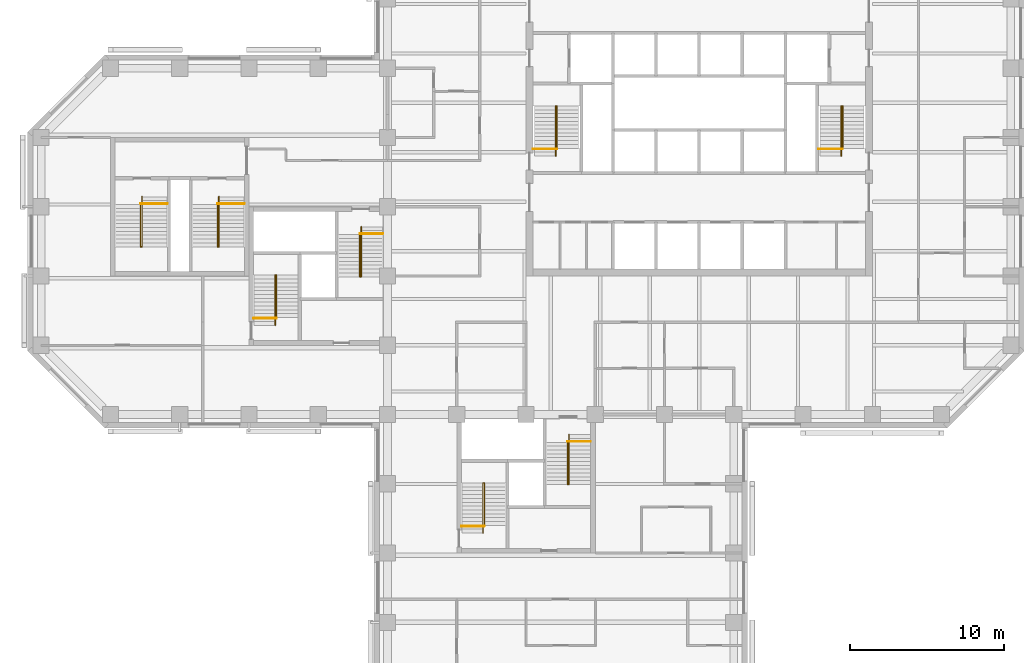
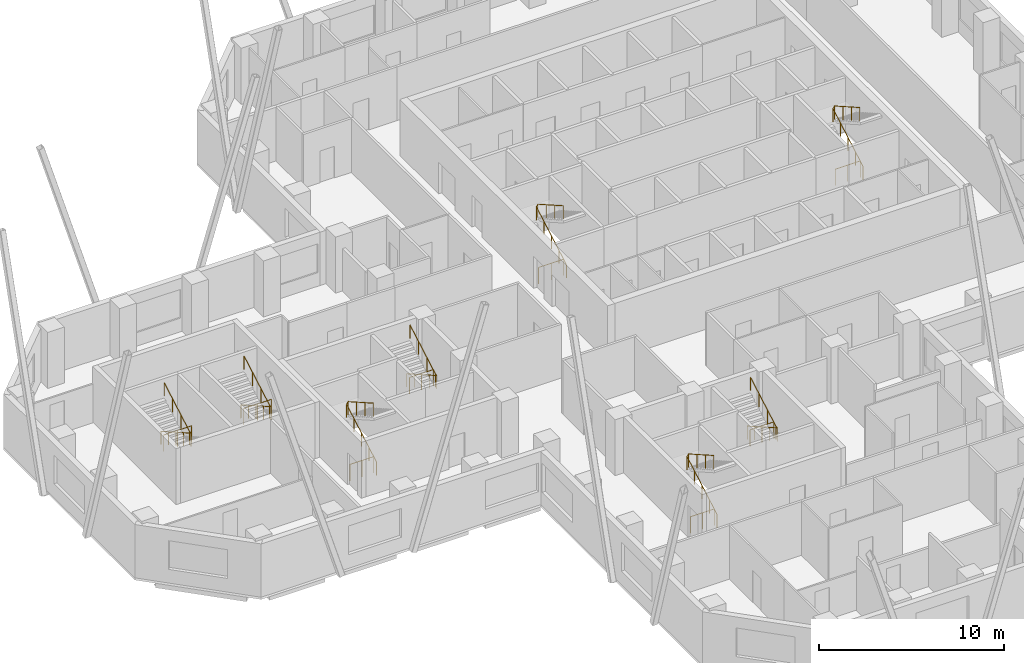
# One storey, part 11 of 11: 16 railings.
"""IFC4 building model written with IfcOpenShell, lengths in metres."""

from ifc_helpers import new_model, si_unit, direction, frame, origin, origin_2d, place, context, subcontext, project, spatial, circle, extrude, material, type_object, element, save


model = new_model("IFC4")

# Units and contexts
model_context = context("Model", 3, precision=1e-05, world=origin(), true_north=direction((0.0, 1.0)))
body_context = subcontext(model_context, "Body", "Model", "MODEL_VIEW")
ifc_project = project(units=[si_unit("LENGTHUNIT", "METRE"), si_unit("AREAUNIT", "SQUARE_METRE"), si_unit("VOLUMEUNIT", "CUBIC_METRE"), si_unit("PLANEANGLEUNIT", "RADIAN"), si_unit("MASSUNIT", "GRAM", prefix="KILO")], contexts=[model_context])

# Site, building, storey
site_placement = place(None, origin())
site = spatial("IfcSite", under=ifc_project, at=site_placement, CompositionType="ELEMENT")
building_placement = place(site_placement, origin())
building = spatial("IfcBuilding", under=site, at=building_placement, Name="Quoin Convention Tower", CompositionType="ELEMENT")
storey_placement = place(building_placement, frame((0.0, 0.0, 82.60009765625)))
storey = spatial("IfcBuildingStorey", under=building, at=storey_placement, Name="L21", CompositionType="ELEMENT", Elevation=82.60009765625)

# Railings
ifc_material = material(Name="Stainless steel", Category="steel")
railing_type_1 = type_object("IfcRailingType", Name="Stair handrail 900", PredefinedType="HANDRAIL", material=ifc_material)
railing_1_placement = place(storey_placement, frame((46.929931640625, 57.300048828125, 0.14208984375)))
element("IfcRailing", 1, at=railing_1_placement, inside=storey, type_object=railing_type_1, Name="SD1 handrail 1", PredefinedType="HANDRAIL", context=body_context, shape_type="SweptSolid", body=[
    extrude(circle(Radius=0.02392578125, at=origin_2d()), frame((0.0, 0.0, 0.8759765625), z_axis=(0.0, 0.869053504361, 0.494718108177), x_axis=(-1.0, 0.0, 0.0)), (0.0, 0.0, 1.0), 3.73974609375),
    extrude(circle(Radius=0.02392578125, at=origin_2d()), frame((0.0, 3.25, 2.72607421875), z_axis=(0.53481069233, 0.0, 0.844971906852), x_axis=(0.0, 1.0, 0.0)), (0.0, 0.0, 1.0), 0.16845703125),
    extrude(circle(Radius=0.02392578125, at=origin_2d()), frame((0.090087890625, 3.25, 2.8681640625), z_axis=(0.0, -0.869058607571, 0.494709143443), x_axis=(1.0, 0.0, 0.0)), (0.0, 0.0, 1.0), 3.164306640625),
    extrude(circle(Radius=0.02099609375, at=origin_2d()), origin(), (0.0, 0.0, 1.0), 0.851806640625),
    extrude(circle(Radius=0.02099609375, at=origin_2d()), frame((0.0, 0.8125, 0.46240234375)), (0.0, 0.0, 1.0), 0.851806640625),
    extrude(circle(Radius=0.02099609375, at=origin_2d()), frame((0.0, 1.625, 0.925048828125)), (0.0, 0.0, 1.0), 0.851806640625),
    extrude(circle(Radius=0.02099609375, at=origin_2d()), frame((0.0, 2.4375, 1.3876953125)), (0.0, 0.0, 1.0), 0.851806640625),
    extrude(circle(Radius=0.02099609375, at=origin_2d()), frame((0.0, 3.25, 1.85009765625)), (0.0, 0.0, 1.0), 0.851806640625),
    extrude(circle(Radius=0.02099609375, at=origin_2d()), frame((0.090087890625, 3.25, 1.992431640625)), (0.0, 0.0, 1.0), 0.851806640625),
    extrude(circle(Radius=0.02099609375, at=origin_2d()), frame((0.090087890625, 2.333251953125, 2.51416015625)), (0.0, 0.0, 1.0), 0.851806640625),
    extrude(circle(Radius=0.02099609375, at=origin_2d()), frame((0.090087890625, 1.416748046875, 3.0361328125)), (0.0, 0.0, 1.0), 0.851806640625),
    extrude(circle(Radius=0.02099609375, at=origin_2d()), frame((0.090087890625, 0.5, 3.557861328125)), (0.0, 0.0, 1.0), 0.851806640625),
])
railing_2_placement = place(storey_placement, frame((65.47998046875, 57.300048828125, 0.14208984375)))
element("IfcRailing", 2, at=railing_2_placement, inside=storey, type_object=railing_type_1, Name="SD2 handrail 1", PredefinedType="HANDRAIL", context=body_context, shape_type="SweptSolid", body=[
    extrude(circle(Radius=0.02392578125, at=origin_2d()), frame((0.0, 0.0, 0.8759765625), z_axis=(0.0, 0.869053504361, 0.494718108177), x_axis=(-1.0, 0.0, 0.0)), (0.0, 0.0, 1.0), 3.73974609375),
    extrude(circle(Radius=0.02392578125, at=origin_2d()), frame((0.0, 3.25, 2.72607421875), z_axis=(0.53481069233, 0.0, 0.844971906852), x_axis=(0.0, 1.0, 0.0)), (0.0, 0.0, 1.0), 0.16845703125),
    extrude(circle(Radius=0.02392578125, at=origin_2d()), frame((0.090087890625, 3.25, 2.8681640625), z_axis=(0.0, -0.869058607571, 0.494709143443), x_axis=(1.0, 0.0, 0.0)), (0.0, 0.0, 1.0), 3.164306640625),
    extrude(circle(Radius=0.02099609375, at=origin_2d()), origin(), (0.0, 0.0, 1.0), 0.851806640625),
    extrude(circle(Radius=0.02099609375, at=origin_2d()), frame((0.0, 0.8125, 0.46240234375)), (0.0, 0.0, 1.0), 0.851806640625),
    extrude(circle(Radius=0.02099609375, at=origin_2d()), frame((0.0, 1.625, 0.925048828125)), (0.0, 0.0, 1.0), 0.851806640625),
    extrude(circle(Radius=0.02099609375, at=origin_2d()), frame((0.0, 2.4375, 1.3876953125)), (0.0, 0.0, 1.0), 0.851806640625),
    extrude(circle(Radius=0.02099609375, at=origin_2d()), frame((0.0, 3.25, 1.85009765625)), (0.0, 0.0, 1.0), 0.851806640625),
    extrude(circle(Radius=0.02099609375, at=origin_2d()), frame((0.090087890625, 3.25, 1.992431640625)), (0.0, 0.0, 1.0), 0.851806640625),
    extrude(circle(Radius=0.02099609375, at=origin_2d()), frame((0.090087890625, 2.333251953125, 2.51416015625)), (0.0, 0.0, 1.0), 0.851806640625),
    extrude(circle(Radius=0.02099609375, at=origin_2d()), frame((0.090087890625, 1.416748046875, 3.0361328125)), (0.0, 0.0, 1.0), 0.851806640625),
    extrude(circle(Radius=0.02099609375, at=origin_2d()), frame((0.090087890625, 0.5, 3.557861328125)), (0.0, 0.0, 1.0), 0.851806640625),
])
railing_3_placement = place(storey_placement, frame((28.705078125, 46.300048828125, 0.14208984375)))
element("IfcRailing", 3, at=railing_3_placement, inside=storey, type_object=railing_type_1, Name="SD3 handrail 1", PredefinedType="HANDRAIL", context=body_context, shape_type="SweptSolid", body=[
    extrude(circle(Radius=0.02392578125, at=origin_2d()), frame((0.0, 0.0, 0.8759765625), z_axis=(0.0, 0.869053504361, 0.494718108177), x_axis=(-1.0, 0.0, 0.0)), (0.0, 0.0, 1.0), 3.73974609375),
    extrude(circle(Radius=0.02392578125, at=origin_2d()), frame((0.0, 3.25, 2.72607421875), z_axis=(0.533774684331, 0.0, 0.845626741753), x_axis=(0.0, 1.0, 0.0)), (0.0, 0.0, 1.0), 0.168212890625),
    extrude(circle(Radius=0.02392578125, at=origin_2d()), frame((0.08984375, 3.25, 2.8681640625), z_axis=(0.0, -0.869058607571, 0.494709143443), x_axis=(1.0, 0.0, 0.0)), (0.0, 0.0, 1.0), 3.164306640625),
    extrude(circle(Radius=0.02099609375, at=origin_2d()), origin(), (0.0, 0.0, 1.0), 0.851806640625),
    extrude(circle(Radius=0.02099609375, at=origin_2d()), frame((0.0, 0.8125, 0.46240234375)), (0.0, 0.0, 1.0), 0.851806640625),
    extrude(circle(Radius=0.02099609375, at=origin_2d()), frame((0.0, 1.625, 0.925048828125)), (0.0, 0.0, 1.0), 0.851806640625),
    extrude(circle(Radius=0.02099609375, at=origin_2d()), frame((0.0, 2.4375, 1.3876953125)), (0.0, 0.0, 1.0), 0.851806640625),
    extrude(circle(Radius=0.02099609375, at=origin_2d()), frame((0.0, 3.25, 1.85009765625)), (0.0, 0.0, 1.0), 0.851806640625),
    extrude(circle(Radius=0.02099609375, at=origin_2d()), frame((0.08984375, 3.25, 1.992431640625)), (0.0, 0.0, 1.0), 0.851806640625),
    extrude(circle(Radius=0.02099609375, at=origin_2d()), frame((0.08984375, 2.333251953125, 2.51416015625)), (0.0, 0.0, 1.0), 0.851806640625),
    extrude(circle(Radius=0.02099609375, at=origin_2d()), frame((0.08984375, 1.416748046875, 3.0361328125)), (0.0, 0.0, 1.0), 0.851806640625),
    extrude(circle(Radius=0.02099609375, at=origin_2d()), frame((0.08984375, 0.5, 3.557861328125)), (0.0, 0.0, 1.0), 0.851806640625),
])
railing_4_placement = place(storey_placement, frame((34.294921875, 52.699951171875, 0.14208984375)))
element("IfcRailing", 4, at=railing_4_placement, inside=storey, type_object=railing_type_1, Name="SD4 handrail 1", PredefinedType="HANDRAIL", context=body_context, shape_type="SweptSolid", body=[
    extrude(circle(Radius=0.02392578125, at=origin_2d()), frame((0.0, 0.0, 0.8759765625), z_axis=(0.0, -0.869053504361, 0.494718108177), x_axis=(1.0, 0.0, 0.0)), (0.0, 0.0, 1.0), 3.73974609375),
    extrude(circle(Radius=0.02392578125, at=origin_2d()), frame((0.0, -3.25, 2.72607421875), z_axis=(-0.533774684331, 0.0, 0.845626741753), x_axis=(0.0, -1.0, 0.0)), (0.0, 0.0, 1.0), 0.168212890625),
    extrude(circle(Radius=0.02392578125, at=origin_2d()), frame((-0.08984375, -3.25, 2.8681640625), z_axis=(0.0, 0.869058607571, 0.494709143443), x_axis=(-1.0, 0.0, 0.0)), (0.0, 0.0, 1.0), 3.164306640625),
    extrude(circle(Radius=0.02099609375, at=origin_2d()), origin(), (0.0, 0.0, 1.0), 0.851806640625),
    extrude(circle(Radius=0.02099609375, at=origin_2d()), frame((0.0, -0.8125, 0.46240234375)), (0.0, 0.0, 1.0), 0.851806640625),
    extrude(circle(Radius=0.02099609375, at=origin_2d()), frame((0.0, -1.625, 0.925048828125)), (0.0, 0.0, 1.0), 0.851806640625),
    extrude(circle(Radius=0.02099609375, at=origin_2d()), frame((0.0, -2.4375, 1.3876953125)), (0.0, 0.0, 1.0), 0.851806640625),
    extrude(circle(Radius=0.02099609375, at=origin_2d()), frame((0.0, -3.25, 1.85009765625)), (0.0, 0.0, 1.0), 0.851806640625),
    extrude(circle(Radius=0.02099609375, at=origin_2d()), frame((-0.08984375, -3.25, 1.992431640625)), (0.0, 0.0, 1.0), 0.851806640625),
    extrude(circle(Radius=0.02099609375, at=origin_2d()), frame((-0.08984375, -2.333251953125, 2.51416015625)), (0.0, 0.0, 1.0), 0.851806640625),
    extrude(circle(Radius=0.02099609375, at=origin_2d()), frame((-0.08984375, -1.416748046875, 3.0361328125)), (0.0, 0.0, 1.0), 0.851806640625),
    extrude(circle(Radius=0.02099609375, at=origin_2d()), frame((-0.08984375, -0.5, 3.557861328125)), (0.0, 0.0, 1.0), 0.851806640625),
])
railing_5_placement = place(storey_placement, frame((42.205078125, 32.800048828125, 0.14208984375)))
element("IfcRailing", 5, at=railing_5_placement, inside=storey, type_object=railing_type_1, Name="SD5 handrail 1", PredefinedType="HANDRAIL", context=body_context, shape_type="SweptSolid", body=[
    extrude(circle(Radius=0.02392578125, at=origin_2d()), frame((0.0, 0.0, 0.8759765625), z_axis=(0.0, 0.869053504361, 0.494718108177), x_axis=(-1.0, 0.0, 0.0)), (0.0, 0.0, 1.0), 3.73974609375),
    extrude(circle(Radius=0.02392578125, at=origin_2d()), frame((0.0, 3.25, 2.72607421875), z_axis=(0.533774684331, 0.0, 0.845626741753), x_axis=(0.0, 1.0, 0.0)), (0.0, 0.0, 1.0), 0.168212890625),
    extrude(circle(Radius=0.02392578125, at=origin_2d()), frame((0.08984375, 3.25, 2.8681640625), z_axis=(0.0, -0.869058607571, 0.494709143443), x_axis=(1.0, 0.0, 0.0)), (0.0, 0.0, 1.0), 3.164306640625),
    extrude(circle(Radius=0.02099609375, at=origin_2d()), origin(), (0.0, 0.0, 1.0), 0.851806640625),
    extrude(circle(Radius=0.02099609375, at=origin_2d()), frame((0.0, 0.8125, 0.46240234375)), (0.0, 0.0, 1.0), 0.851806640625),
    extrude(circle(Radius=0.02099609375, at=origin_2d()), frame((0.0, 1.625, 0.925048828125)), (0.0, 0.0, 1.0), 0.851806640625),
    extrude(circle(Radius=0.02099609375, at=origin_2d()), frame((0.0, 2.4375, 1.3876953125)), (0.0, 0.0, 1.0), 0.851806640625),
    extrude(circle(Radius=0.02099609375, at=origin_2d()), frame((0.0, 3.25, 1.85009765625)), (0.0, 0.0, 1.0), 0.851806640625),
    extrude(circle(Radius=0.02099609375, at=origin_2d()), frame((0.08984375, 3.25, 1.992431640625)), (0.0, 0.0, 1.0), 0.851806640625),
    extrude(circle(Radius=0.02099609375, at=origin_2d()), frame((0.08984375, 2.333251953125, 2.51416015625)), (0.0, 0.0, 1.0), 0.851806640625),
    extrude(circle(Radius=0.02099609375, at=origin_2d()), frame((0.08984375, 1.416748046875, 3.0361328125)), (0.0, 0.0, 1.0), 0.851806640625),
    extrude(circle(Radius=0.02099609375, at=origin_2d()), frame((0.08984375, 0.5, 3.557861328125)), (0.0, 0.0, 1.0), 0.851806640625),
])
railing_6_placement = place(storey_placement, frame((47.794921875, 39.199951171875, 0.14208984375)))
element("IfcRailing", 6, at=railing_6_placement, inside=storey, type_object=railing_type_1, Name="SD6 handrail 1", PredefinedType="HANDRAIL", context=body_context, shape_type="SweptSolid", body=[
    extrude(circle(Radius=0.02392578125, at=origin_2d()), frame((0.0, 0.0, 0.8759765625), z_axis=(0.0, -0.869053504361, 0.494718108177), x_axis=(1.0, 0.0, 0.0)), (0.0, 0.0, 1.0), 3.73974609375),
    extrude(circle(Radius=0.02392578125, at=origin_2d()), frame((0.0, -3.25, 2.72607421875), z_axis=(-0.533774684331, 0.0, 0.845626741753), x_axis=(0.0, -1.0, 0.0)), (0.0, 0.0, 1.0), 0.168212890625),
    extrude(circle(Radius=0.02392578125, at=origin_2d()), frame((-0.08984375, -3.25, 2.8681640625), z_axis=(0.0, 0.869058607571, 0.494709143443), x_axis=(-1.0, 0.0, 0.0)), (0.0, 0.0, 1.0), 3.164306640625),
    extrude(circle(Radius=0.02099609375, at=origin_2d()), origin(), (0.0, 0.0, 1.0), 0.851806640625),
    extrude(circle(Radius=0.02099609375, at=origin_2d()), frame((0.0, -0.8125, 0.46240234375)), (0.0, 0.0, 1.0), 0.851806640625),
    extrude(circle(Radius=0.02099609375, at=origin_2d()), frame((0.0, -1.625, 0.925048828125)), (0.0, 0.0, 1.0), 0.851806640625),
    extrude(circle(Radius=0.02099609375, at=origin_2d()), frame((0.0, -2.4375, 1.3876953125)), (0.0, 0.0, 1.0), 0.851806640625),
    extrude(circle(Radius=0.02099609375, at=origin_2d()), frame((0.0, -3.25, 1.85009765625)), (0.0, 0.0, 1.0), 0.851806640625),
    extrude(circle(Radius=0.02099609375, at=origin_2d()), frame((-0.08984375, -3.25, 1.992431640625)), (0.0, 0.0, 1.0), 0.851806640625),
    extrude(circle(Radius=0.02099609375, at=origin_2d()), frame((-0.08984375, -2.333251953125, 2.51416015625)), (0.0, 0.0, 1.0), 0.851806640625),
    extrude(circle(Radius=0.02099609375, at=origin_2d()), frame((-0.08984375, -1.416748046875, 3.0361328125)), (0.0, 0.0, 1.0), 0.851806640625),
    extrude(circle(Radius=0.02099609375, at=origin_2d()), frame((-0.08984375, -0.5, 3.557861328125)), (0.0, 0.0, 1.0), 0.851806640625),
])
railing_7_placement = place(storey_placement, frame((20.044921875, 54.64990234375, 0.14208984375)))
element("IfcRailing", 7, at=railing_7_placement, inside=storey, type_object=railing_type_1, Name="SD11 handrail 1", PredefinedType="HANDRAIL", context=body_context, shape_type="SweptSolid", body=[
    extrude(circle(Radius=0.02392578125, at=origin_2d()), frame((0.0, 0.0, 0.8759765625), z_axis=(0.0, -0.869053504361, 0.494718108177), x_axis=(1.0, 0.0, 0.0)), (0.0, 0.0, 1.0), 3.73974609375),
    extrude(circle(Radius=0.02392578125, at=origin_2d()), frame((0.0, -3.25, 2.72607421875), z_axis=(-0.533774684331, 0.0, 0.845626741753), x_axis=(0.0, -1.0, 0.0)), (0.0, 0.0, 1.0), 0.168212890625),
    extrude(circle(Radius=0.02392578125, at=origin_2d()), frame((-0.08984375, -3.25, 2.8681640625), z_axis=(0.0, 0.869058607571, 0.494709143443), x_axis=(-1.0, 0.0, 0.0)), (0.0, 0.0, 1.0), 3.164306640625),
    extrude(circle(Radius=0.02099609375, at=origin_2d()), origin(), (0.0, 0.0, 1.0), 0.851806640625),
    extrude(circle(Radius=0.02099609375, at=origin_2d()), frame((0.0, -0.8125, 0.46240234375)), (0.0, 0.0, 1.0), 0.851806640625),
    extrude(circle(Radius=0.02099609375, at=origin_2d()), frame((0.0, -1.625, 0.925048828125)), (0.0, 0.0, 1.0), 0.851806640625),
    extrude(circle(Radius=0.02099609375, at=origin_2d()), frame((0.0, -2.4375, 1.3876953125)), (0.0, 0.0, 1.0), 0.851806640625),
    extrude(circle(Radius=0.02099609375, at=origin_2d()), frame((0.0, -3.25, 1.85009765625)), (0.0, 0.0, 1.0), 0.851806640625),
    extrude(circle(Radius=0.02099609375, at=origin_2d()), frame((-0.08984375, -3.25, 1.992431640625)), (0.0, 0.0, 1.0), 0.851806640625),
    extrude(circle(Radius=0.02099609375, at=origin_2d()), frame((-0.08984375, -2.333251953125, 2.51416015625)), (0.0, 0.0, 1.0), 0.851806640625),
    extrude(circle(Radius=0.02099609375, at=origin_2d()), frame((-0.08984375, -1.416748046875, 3.0361328125)), (0.0, 0.0, 1.0), 0.851806640625),
    extrude(circle(Radius=0.02099609375, at=origin_2d()), frame((-0.08984375, -0.5, 3.557861328125)), (0.0, 0.0, 1.0), 0.851806640625),
])
railing_8_placement = place(storey_placement, frame((25.044921875, 54.64990234375, 0.14208984375)))
element("IfcRailing", 8, at=railing_8_placement, inside=storey, type_object=railing_type_1, Name="SD12 handrail 1", PredefinedType="HANDRAIL", context=body_context, shape_type="SweptSolid", body=[
    extrude(circle(Radius=0.02392578125, at=origin_2d()), frame((0.0, 0.0, 0.8759765625), z_axis=(0.0, -0.869053504361, 0.494718108177), x_axis=(1.0, 0.0, 0.0)), (0.0, 0.0, 1.0), 3.73974609375),
    extrude(circle(Radius=0.02392578125, at=origin_2d()), frame((0.0, -3.25, 2.72607421875), z_axis=(-0.533774684331, 0.0, 0.845626741753), x_axis=(0.0, -1.0, 0.0)), (0.0, 0.0, 1.0), 0.168212890625),
    extrude(circle(Radius=0.02392578125, at=origin_2d()), frame((-0.08984375, -3.25, 2.8681640625), z_axis=(0.0, 0.869058607571, 0.494709143443), x_axis=(-1.0, 0.0, 0.0)), (0.0, 0.0, 1.0), 3.164306640625),
    extrude(circle(Radius=0.02099609375, at=origin_2d()), origin(), (0.0, 0.0, 1.0), 0.851806640625),
    extrude(circle(Radius=0.02099609375, at=origin_2d()), frame((0.0, -0.8125, 0.46240234375)), (0.0, 0.0, 1.0), 0.851806640625),
    extrude(circle(Radius=0.02099609375, at=origin_2d()), frame((0.0, -1.625, 0.925048828125)), (0.0, 0.0, 1.0), 0.851806640625),
    extrude(circle(Radius=0.02099609375, at=origin_2d()), frame((0.0, -2.4375, 1.3876953125)), (0.0, 0.0, 1.0), 0.851806640625),
    extrude(circle(Radius=0.02099609375, at=origin_2d()), frame((0.0, -3.25, 1.85009765625)), (0.0, 0.0, 1.0), 0.851806640625),
    extrude(circle(Radius=0.02099609375, at=origin_2d()), frame((-0.08984375, -3.25, 1.992431640625)), (0.0, 0.0, 1.0), 0.851806640625),
    extrude(circle(Radius=0.02099609375, at=origin_2d()), frame((-0.08984375, -2.333251953125, 2.51416015625)), (0.0, 0.0, 1.0), 0.851806640625),
    extrude(circle(Radius=0.02099609375, at=origin_2d()), frame((-0.08984375, -1.416748046875, 3.0361328125)), (0.0, 0.0, 1.0), 0.851806640625),
    extrude(circle(Radius=0.02099609375, at=origin_2d()), frame((-0.08984375, -0.5, 3.557861328125)), (0.0, 0.0, 1.0), 0.851806640625),
])
railing_type_2 = type_object("IfcRailingType", Name="Stair top guard 1100", PredefinedType="GUARDRAIL", material=ifc_material)
for number, where, name in (
    (9, (45.449951171875, 57.75, 0.0), "SD1 top guard"),
    (10, (64.0, 57.75, 0.0), "SD2 top guard"),
):
    element("IfcRailing", number, at=place(storey_placement, frame(where)), inside=storey, type_object=railing_type_2, Name=name, PredefinedType="GUARDRAIL", context=body_context, shape_type="SweptSolid", body=[
        extrude(circle(Radius=0.02392578125, at=origin_2d()), frame((0.0, 0.0, 1.076171875), z_axis=(1.0, 0.0, 0.0), x_axis=(0.0, 1.0, 0.0)), (0.0, 0.0, 1.0), 1.570068359375),
        extrude(circle(Radius=0.02099609375, at=origin_2d()), origin(), (0.0, 0.0, 1.0), 1.052001953125),
        extrude(circle(Radius=0.02099609375, at=origin_2d()), frame((0.78515625, 0.0, 0.0)), (0.0, 0.0, 1.0), 1.052001953125),
        extrude(circle(Radius=0.02099609375, at=origin_2d()), frame((1.570068359375, 0.0, 0.0)), (0.0, 0.0, 1.0), 1.052001953125),
    ])
railing_9_placement = place(storey_placement, frame((27.300048828125, 46.75, 0.0)))
element("IfcRailing", 11, at=railing_9_placement, inside=storey, type_object=railing_type_2, Name="SD3 top guard", PredefinedType="GUARDRAIL", context=body_context, shape_type="SweptSolid", body=[
    extrude(circle(Radius=0.02392578125, at=origin_2d()), frame((0.0, 0.0, 1.076171875), z_axis=(1.0, 0.0, 0.0), x_axis=(0.0, 1.0, 0.0)), (0.0, 0.0, 1.0), 1.494873046875),
    extrude(circle(Radius=0.02099609375, at=origin_2d()), origin(), (0.0, 0.0, 1.0), 1.052001953125),
    extrude(circle(Radius=0.02099609375, at=origin_2d()), frame((0.74755859375, 0.0, 0.0)), (0.0, 0.0, 1.0), 1.052001953125),
    extrude(circle(Radius=0.02099609375, at=origin_2d()), frame((1.494873046875, 0.0, 0.0)), (0.0, 0.0, 1.0), 1.052001953125),
])
railing_10_placement = place(storey_placement, frame((35.699951171875, 52.25, 0.0)))
element("IfcRailing", 12, at=railing_10_placement, inside=storey, type_object=railing_type_2, Name="SD4 top guard", PredefinedType="GUARDRAIL", context=body_context, shape_type="SweptSolid", body=[
    extrude(circle(Radius=0.02392578125, at=origin_2d()), frame((0.0, 0.0, 1.076171875), z_axis=(-1.0, 0.0, 0.0), x_axis=(0.0, -1.0, 0.0)), (0.0, 0.0, 1.0), 1.494873046875),
    extrude(circle(Radius=0.02099609375, at=origin_2d()), origin(), (0.0, 0.0, 1.0), 1.052001953125),
    extrude(circle(Radius=0.02099609375, at=origin_2d()), frame((-0.74755859375, 0.0, 0.0)), (0.0, 0.0, 1.0), 1.052001953125),
    extrude(circle(Radius=0.02099609375, at=origin_2d()), frame((-1.494873046875, 0.0, 0.0)), (0.0, 0.0, 1.0), 1.052001953125),
])
railing_11_placement = place(storey_placement, frame((40.800048828125, 33.25, 0.0)))
element("IfcRailing", 13, at=railing_11_placement, inside=storey, type_object=railing_type_2, Name="SD5 top guard", PredefinedType="GUARDRAIL", context=body_context, shape_type="SweptSolid", body=[
    extrude(circle(Radius=0.02392578125, at=origin_2d()), frame((0.0, 0.0, 1.076171875), z_axis=(1.0, 0.0, 0.0), x_axis=(0.0, 1.0, 0.0)), (0.0, 0.0, 1.0), 1.494873046875),
    extrude(circle(Radius=0.02099609375, at=origin_2d()), origin(), (0.0, 0.0, 1.0), 1.052001953125),
    extrude(circle(Radius=0.02099609375, at=origin_2d()), frame((0.74755859375, 0.0, 0.0)), (0.0, 0.0, 1.0), 1.052001953125),
    extrude(circle(Radius=0.02099609375, at=origin_2d()), frame((1.494873046875, 0.0, 0.0)), (0.0, 0.0, 1.0), 1.052001953125),
])
railing_12_placement = place(storey_placement, frame((49.199951171875, 38.75, 0.0)))
element("IfcRailing", 14, at=railing_12_placement, inside=storey, type_object=railing_type_2, Name="SD6 top guard", PredefinedType="GUARDRAIL", context=body_context, shape_type="SweptSolid", body=[
    extrude(circle(Radius=0.02392578125, at=origin_2d()), frame((0.0, 0.0, 1.076171875), z_axis=(-1.0, 0.0, 0.0), x_axis=(0.0, -1.0, 0.0)), (0.0, 0.0, 1.0), 1.494873046875),
    extrude(circle(Radius=0.02099609375, at=origin_2d()), origin(), (0.0, 0.0, 1.0), 1.052001953125),
    extrude(circle(Radius=0.02099609375, at=origin_2d()), frame((-0.74755859375, 0.0, 0.0)), (0.0, 0.0, 1.0), 1.052001953125),
    extrude(circle(Radius=0.02099609375, at=origin_2d()), frame((-1.494873046875, 0.0, 0.0)), (0.0, 0.0, 1.0), 1.052001953125),
])
for number, where, name in (
    (15, (21.699951171875, 54.199951171875, 0.0), "SD11 top guard"),
    (16, (26.699951171875, 54.199951171875, 0.0), "SD12 top guard"),
):
    element("IfcRailing", number, at=place(storey_placement, frame(where)), inside=storey, type_object=railing_type_2, Name=name, PredefinedType="GUARDRAIL", context=body_context, shape_type="SweptSolid", body=[
        extrude(circle(Radius=0.02392578125, at=origin_2d()), frame((0.0, 0.0, 1.076171875), z_axis=(-1.0, 0.0, 0.0), x_axis=(0.0, -1.0, 0.0)), (0.0, 0.0, 1.0), 1.744873046875),
        extrude(circle(Radius=0.02099609375, at=origin_2d()), origin(), (0.0, 0.0, 1.0), 1.052001953125),
        extrude(circle(Radius=0.02099609375, at=origin_2d()), frame((-0.87255859375, 0.0, 0.0)), (0.0, 0.0, 1.0), 1.052001953125),
        extrude(circle(Radius=0.02099609375, at=origin_2d()), frame((-1.744873046875, 0.0, 0.0)), (0.0, 0.0, 1.0), 1.052001953125),
    ])

save(model, "model.ifc")
